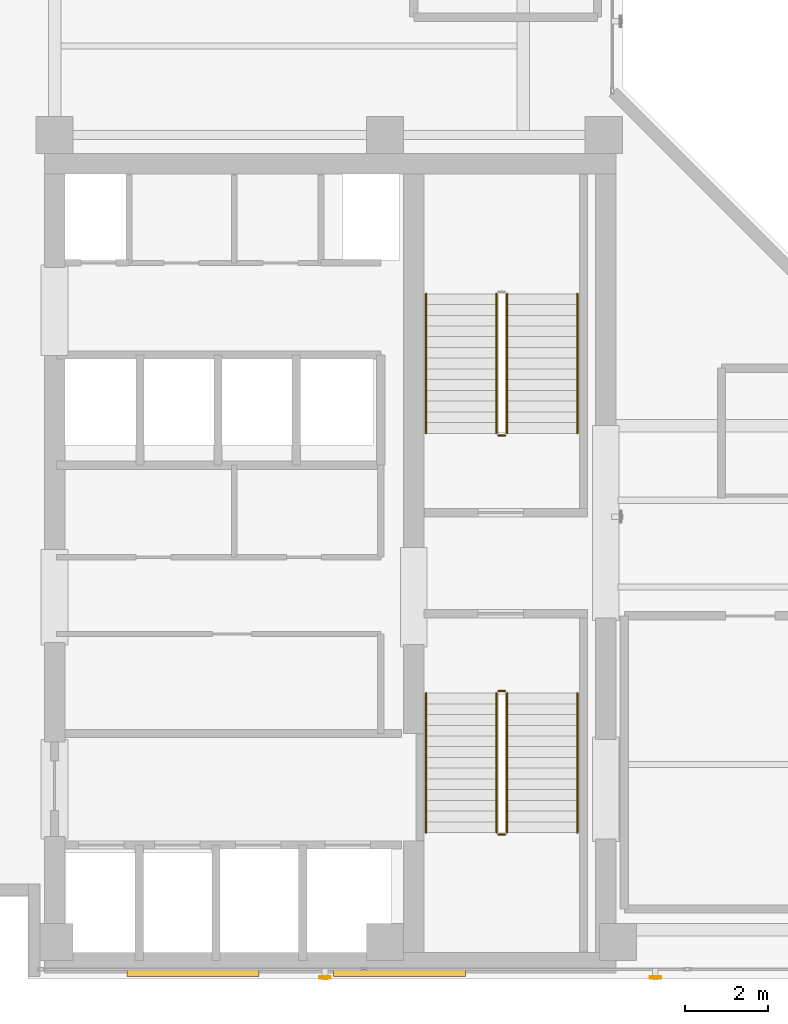
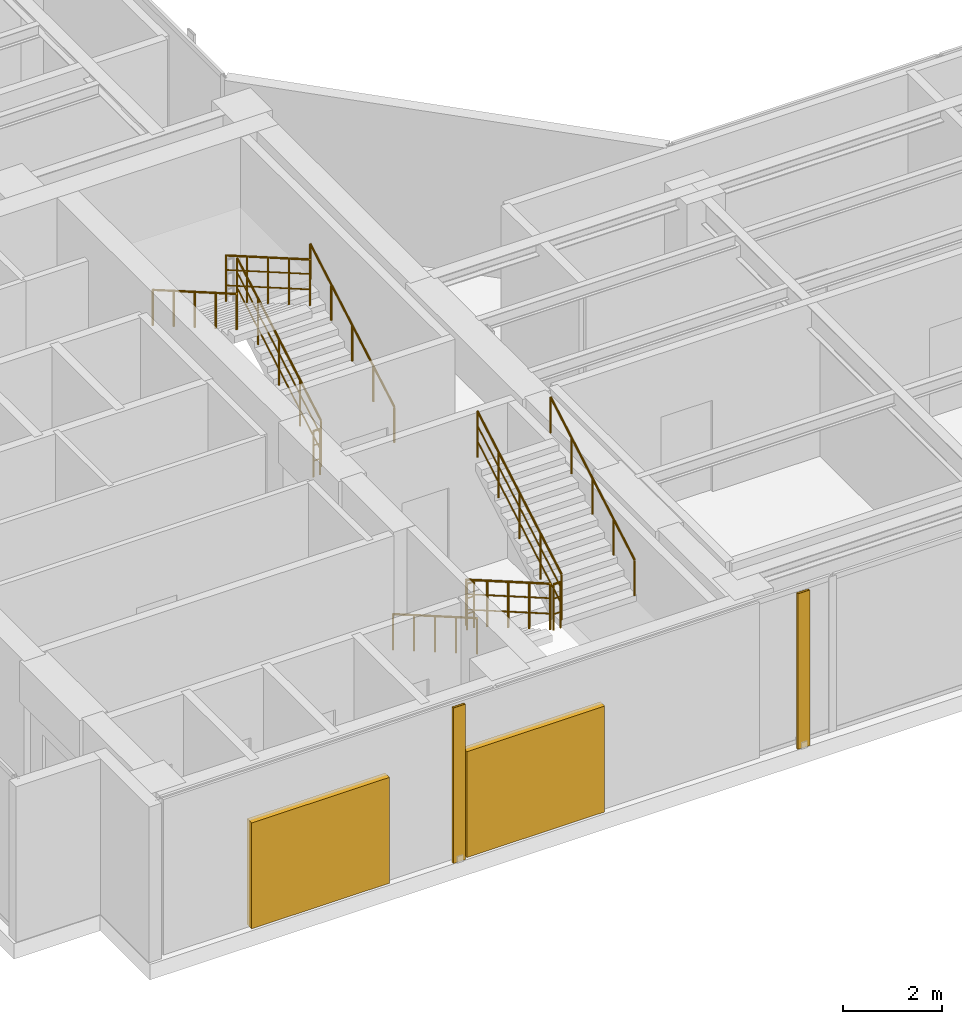
# One storey, part 22 of 24: 11 railings, 4 shading devices.
"""IFC4 building model written with IfcOpenShell, lengths in metres."""

from ifc_helpers import new_model, si_unit, direction, frame, origin, origin_with_axes, origin_2d, place, context, subcontext, project, spatial, rectangle, hollow_rectangle, circle, extrude, source, transform, mapped, material, material_profile, profile_set, type_object, element, save


model = new_model("IFC4")

# Units and contexts
model_context = context("Model", 3, precision=1e-05, world=origin(), true_north=direction((0.0, 1.0)))
body_context = subcontext(model_context, "Body", "Model", "MODEL_VIEW")
ifc_project = project(units=[si_unit("LENGTHUNIT", "METRE"), si_unit("AREAUNIT", "SQUARE_METRE"), si_unit("VOLUMEUNIT", "CUBIC_METRE"), si_unit("PLANEANGLEUNIT", "RADIAN"), si_unit("MASSUNIT", "GRAM", prefix="KILO")], contexts=[model_context])

# Site, building, storey
site_placement = place(None, origin())
site = spatial("IfcSite", under=ifc_project, at=site_placement, CompositionType="ELEMENT")
building_placement = place(site_placement, origin())
building = spatial("IfcBuilding", under=site, at=building_placement, Name="Kolvaren Waterfront Exchange", CompositionType="ELEMENT")
storey_placement = place(building_placement, frame((0.0, 0.0, 356.199951171875)))
storey = spatial("IfcBuildingStorey", under=building, at=storey_placement, Name="L91", CompositionType="ELEMENT", Elevation=356.199951171875)

# Shading devices
ifc_material_1 = material(Name="Anodised bronze aluminium 6063-T6", Category="aluminium")
ifc_material_profile = material_profile(ifc_material_1, hollow_rectangle(XDim=0.054931640625, YDim=0.280029296875, WallThickness=0.00439453125, at=origin_2d()), Name="BRZ-FIN-280x55x4.5")
ifc_profile_set = profile_set([ifc_material_profile], Name="Anodised bronze aluminium 6063-T6")
shading_device_type_1 = type_object("IfcShadingDeviceType", Name="ARC-FIN-280", PredefinedType="USERDEFINED", material=ifc_profile_set)
for number, where, z_axis, x_axis, name in (
    (1, (14.0, 4.0400390625, 0.0), (0.0, 0.0, 1.0), (0.0, -1.0, 0.0), "L91 anodised bronze solar shading fin FIN-L91-S1"),
    (2, (22.0, 4.0400390625, 0.0), (0.0, 0.0, 1.0), (0.0, -1.0, 0.0), "L91 anodised bronze solar shading fin FIN-L91-S2"),
):
    element("IfcShadingDevice", number, at=place(storey_placement, frame(where, z_axis=z_axis, x_axis=x_axis)), inside=storey, type_object=shading_device_type_1, Name=name, ObjectType="SOLAR FIN", PredefinedType="USERDEFINED", context=body_context, shape_type="SweptSolid", body=[
        extrude(hollow_rectangle(XDim=0.054931640625, YDim=0.280029296875, WallThickness=0.00439453125, at=origin_2d()), origin(), (0.0, 0.0, 1.0), 3.820068359375),
    ])

# Railings
ifc_material_2 = material(Name="Stainless steel 316", Category="steel")
railing_type_1 = type_object("IfcRailingType", Name="ARC-GUARD-STAIR", PredefinedType="GUARDRAIL", material=ifc_material_2)
railing_1_placement = place(storey_placement, frame((18.14990234375, 10.929931640625, 0.150146484375)))
element("IfcRailing", 3, at=railing_1_placement, inside=storey, type_object=railing_type_1, Name="L91 ST1 stair guard 1", PredefinedType="GUARDRAIL", context=body_context, shape_type="SweptSolid", body=[
    extrude(circle(Radius=0.02392578125, at=origin_2d()), frame((0.0, 0.0, 1.1259765625), z_axis=(0.0, -0.866183502775, 0.49972606448), x_axis=(1.0, 0.0, 0.0)), (0.0, 0.0, 1.0), 3.902099609375),
    extrude(circle(Radius=0.01611328125, at=origin_2d()), frame((0.0, 0.0, 0.390869140625), z_axis=(0.0, -0.866183502775, 0.49972606448), x_axis=(1.0, 0.0, 0.0)), (0.0, 0.0, 1.0), 3.902099609375),
    extrude(circle(Radius=0.01611328125, at=origin_2d()), frame((0.0, 0.0, 0.7705078125), z_axis=(0.0, -0.866183502775, 0.49972606448), x_axis=(1.0, 0.0, 0.0)), (0.0, 0.0, 1.0), 3.902099609375),
    extrude(circle(Radius=0.02099609375, at=origin_2d()), origin(), (0.0, 0.0, 1.0), 1.101806640625),
    extrude(circle(Radius=0.02099609375, at=origin_2d()), frame((0.0, -0.844970703125, 0.487548828125)), (0.0, 0.0, 1.0), 1.101806640625),
    extrude(circle(Radius=0.02099609375, at=origin_2d()), frame((0.0, -1.68994140625, 0.97509765625)), (0.0, 0.0, 1.0), 1.101806640625),
    extrude(circle(Radius=0.02099609375, at=origin_2d()), frame((0.0, -2.534912109375, 1.46240234375)), (0.0, 0.0, 1.0), 1.101806640625),
    extrude(circle(Radius=0.02099609375, at=origin_2d()), frame((0.0, -3.3798828125, 1.949951171875)), (0.0, 0.0, 1.0), 1.101806640625),
])
railing_2_placement = place(storey_placement, frame((18.199951171875, 7.5, 2.10009765625)))
element("IfcRailing", 4, at=railing_2_placement, inside=storey, type_object=railing_type_1, Name="L91 ST1 stair guard 2", PredefinedType="GUARDRAIL", context=body_context, shape_type="SweptSolid", body=[
    extrude(circle(Radius=0.02392578125, at=origin_2d()), frame((0.0, 0.0, 1.1259765625), z_axis=(1.0, 0.0, 0.0), x_axis=(0.0, 1.0, 0.0)), (0.0, 0.0, 1.0), 0.16015625),
    extrude(circle(Radius=0.01611328125, at=origin_2d()), frame((0.0, 0.0, 0.390869140625), z_axis=(1.0, 0.0, 0.0), x_axis=(0.0, 1.0, 0.0)), (0.0, 0.0, 1.0), 0.16015625),
    extrude(circle(Radius=0.01611328125, at=origin_2d()), frame((0.0, 0.0, 0.7705078125), z_axis=(1.0, 0.0, 0.0), x_axis=(0.0, 1.0, 0.0)), (0.0, 0.0, 1.0), 0.16015625),
    extrude(circle(Radius=0.02099609375, at=origin_2d()), origin(), (0.0, 0.0, 1.0), 1.101806640625),
    extrude(circle(Radius=0.02099609375, at=origin_2d()), frame((0.16015625, 0.0, 0.0)), (0.0, 0.0, 1.0), 1.101806640625),
])
railing_3_placement = place(storey_placement, frame((18.409912109375, 7.550048828125, 2.25)))
element("IfcRailing", 5, at=railing_3_placement, inside=storey, type_object=railing_type_1, Name="L91 ST1 stair guard 3", PredefinedType="GUARDRAIL", context=body_context, shape_type="SweptSolid", body=[
    extrude(circle(Radius=0.02392578125, at=origin_2d()), frame((0.0, 0.0, 1.1259765625), z_axis=(0.0, 0.866183502775, 0.49972606448), x_axis=(-1.0, 0.0, 0.0)), (0.0, 0.0, 1.0), 3.902099609375),
    extrude(circle(Radius=0.01611328125, at=origin_2d()), frame((0.0, 0.0, 0.390869140625), z_axis=(0.0, 0.866183502775, 0.49972606448), x_axis=(-1.0, 0.0, 0.0)), (0.0, 0.0, 1.0), 3.902099609375),
    extrude(circle(Radius=0.01611328125, at=origin_2d()), frame((0.0, 0.0, 0.7705078125), z_axis=(0.0, 0.866183502775, 0.49972606448), x_axis=(-1.0, 0.0, 0.0)), (0.0, 0.0, 1.0), 3.902099609375),
    extrude(circle(Radius=0.02099609375, at=origin_2d()), origin(), (0.0, 0.0, 1.0), 1.101806640625),
    extrude(circle(Radius=0.02099609375, at=origin_2d()), frame((0.0, 0.844970703125, 0.487548828125)), (0.0, 0.0, 1.0), 1.101806640625),
    extrude(circle(Radius=0.02099609375, at=origin_2d()), frame((0.0, 1.68994140625, 0.97509765625)), (0.0, 0.0, 1.0), 1.101806640625),
    extrude(circle(Radius=0.02099609375, at=origin_2d()), frame((0.0, 2.534912109375, 1.46240234375)), (0.0, 0.0, 1.0), 1.101806640625),
    extrude(circle(Radius=0.02099609375, at=origin_2d()), frame((0.0, 3.3798828125, 1.949951171875)), (0.0, 0.0, 1.0), 1.101806640625),
])
railing_4_placement = place(storey_placement, frame((18.199951171875, 10.97998046875, 0.0)))
element("IfcRailing", 6, at=railing_4_placement, inside=storey, type_object=railing_type_1, Name="L91 ST1 stair guard 4", PredefinedType="GUARDRAIL", context=body_context, shape_type="SweptSolid", body=[
    extrude(circle(Radius=0.02392578125, at=origin_2d()), frame((0.0, 0.0, 1.1259765625), z_axis=(1.0, 0.0, 0.0), x_axis=(0.0, 1.0, 0.0)), (0.0, 0.0, 1.0), 0.16015625),
    extrude(circle(Radius=0.01611328125, at=origin_2d()), frame((0.0, 0.0, 0.390869140625), z_axis=(1.0, 0.0, 0.0), x_axis=(0.0, 1.0, 0.0)), (0.0, 0.0, 1.0), 0.16015625),
    extrude(circle(Radius=0.01611328125, at=origin_2d()), frame((0.0, 0.0, 0.7705078125), z_axis=(1.0, 0.0, 0.0), x_axis=(0.0, 1.0, 0.0)), (0.0, 0.0, 1.0), 0.16015625),
    extrude(circle(Radius=0.02099609375, at=origin_2d()), origin(), (0.0, 0.0, 1.0), 1.101806640625),
    extrude(circle(Radius=0.02099609375, at=origin_2d()), frame((0.16015625, 0.0, 0.0)), (0.0, 0.0, 1.0), 1.101806640625),
])
railing_5_placement = place(storey_placement, frame((18.409912109375, 17.219970703125, 0.150146484375)))
element("IfcRailing", 7, at=railing_5_placement, inside=storey, type_object=railing_type_1, Name="L91 ST2 stair guard 1", PredefinedType="GUARDRAIL", context=body_context, shape_type="SweptSolid", body=[
    extrude(circle(Radius=0.02392578125, at=origin_2d()), frame((0.0, 0.0, 1.1259765625), z_axis=(0.0, 0.866199126228, 0.499698983112), x_axis=(-1.0, 0.0, 0.0)), (0.0, 0.0, 1.0), 3.90234375),
    extrude(circle(Radius=0.01611328125, at=origin_2d()), frame((0.0, 0.0, 0.390869140625), z_axis=(0.0, 0.866199126228, 0.499698983112), x_axis=(-1.0, 0.0, 0.0)), (0.0, 0.0, 1.0), 3.90234375),
    extrude(circle(Radius=0.01611328125, at=origin_2d()), frame((0.0, 0.0, 0.7705078125), z_axis=(0.0, 0.866199126228, 0.499698983112), x_axis=(-1.0, 0.0, 0.0)), (0.0, 0.0, 1.0), 3.90234375),
    extrude(circle(Radius=0.02099609375, at=origin_2d()), origin(), (0.0, 0.0, 1.0), 1.101806640625),
    extrude(circle(Radius=0.02099609375, at=origin_2d()), frame((0.0, 0.844970703125, 0.487548828125)), (0.0, 0.0, 1.0), 1.101806640625),
    extrude(circle(Radius=0.02099609375, at=origin_2d()), frame((0.0, 1.68994140625, 0.97509765625)), (0.0, 0.0, 1.0), 1.101806640625),
    extrude(circle(Radius=0.02099609375, at=origin_2d()), frame((0.0, 2.53515625, 1.46240234375)), (0.0, 0.0, 1.0), 1.101806640625),
    extrude(circle(Radius=0.02099609375, at=origin_2d()), frame((0.0, 3.380126953125, 1.949951171875)), (0.0, 0.0, 1.0), 1.101806640625),
])
railing_6_placement = place(storey_placement, frame((18.14990234375, 20.60009765625, 2.25)))
element("IfcRailing", 8, at=railing_6_placement, inside=storey, type_object=railing_type_1, Name="L91 ST2 stair guard 3", PredefinedType="GUARDRAIL", context=body_context, shape_type="SweptSolid", body=[
    extrude(circle(Radius=0.02392578125, at=origin_2d()), frame((0.0, 0.0, 1.1259765625), z_axis=(0.0, -0.866199126228, 0.499698983112), x_axis=(1.0, 0.0, 0.0)), (0.0, 0.0, 1.0), 3.90234375),
    extrude(circle(Radius=0.01611328125, at=origin_2d()), frame((0.0, 0.0, 0.390869140625), z_axis=(0.0, -0.866199126228, 0.499698983112), x_axis=(1.0, 0.0, 0.0)), (0.0, 0.0, 1.0), 3.90234375),
    extrude(circle(Radius=0.01611328125, at=origin_2d()), frame((0.0, 0.0, 0.7705078125), z_axis=(0.0, -0.866199126228, 0.499698983112), x_axis=(1.0, 0.0, 0.0)), (0.0, 0.0, 1.0), 3.90234375),
    extrude(circle(Radius=0.02099609375, at=origin_2d()), origin(), (0.0, 0.0, 1.0), 1.101806640625),
    extrude(circle(Radius=0.02099609375, at=origin_2d()), frame((0.0, -0.844970703125, 0.487548828125)), (0.0, 0.0, 1.0), 1.101806640625),
    extrude(circle(Radius=0.02099609375, at=origin_2d()), frame((0.0, -1.68994140625, 0.97509765625)), (0.0, 0.0, 1.0), 1.101806640625),
    extrude(circle(Radius=0.02099609375, at=origin_2d()), frame((0.0, -2.53515625, 1.46240234375)), (0.0, 0.0, 1.0), 1.101806640625),
    extrude(circle(Radius=0.02099609375, at=origin_2d()), frame((0.0, -3.380126953125, 1.949951171875)), (0.0, 0.0, 1.0), 1.101806640625),
])
railing_7_placement = place(storey_placement, frame((18.360107421875, 17.169921875, 0.0)))
element("IfcRailing", 9, at=railing_7_placement, inside=storey, type_object=railing_type_1, Name="L91 ST2 stair guard 4", PredefinedType="GUARDRAIL", context=body_context, shape_type="SweptSolid", body=[
    extrude(circle(Radius=0.02392578125, at=origin_2d()), frame((0.0, 0.0, 1.1259765625), z_axis=(-1.0, 0.0, 0.0), x_axis=(0.0, -1.0, 0.0)), (0.0, 0.0, 1.0), 0.16015625),
    extrude(circle(Radius=0.01611328125, at=origin_2d()), frame((0.0, 0.0, 0.390869140625), z_axis=(-1.0, 0.0, 0.0), x_axis=(0.0, -1.0, 0.0)), (0.0, 0.0, 1.0), 0.16015625),
    extrude(circle(Radius=0.01611328125, at=origin_2d()), frame((0.0, 0.0, 0.7705078125), z_axis=(-1.0, 0.0, 0.0), x_axis=(0.0, -1.0, 0.0)), (0.0, 0.0, 1.0), 0.16015625),
    extrude(circle(Radius=0.02099609375, at=origin_2d()), origin(), (0.0, 0.0, 1.0), 1.101806640625),
    extrude(circle(Radius=0.02099609375, at=origin_2d()), frame((-0.16015625, 0.0, 0.0)), (0.0, 0.0, 1.0), 1.101806640625),
])
railing_type_2 = type_object("IfcRailingType", Name="ARC-HANDRAIL-900", PredefinedType="HANDRAIL", material=ifc_material_2)
railing_8_placement = place(storey_placement, frame((16.449951171875, 10.929931640625, 0.150146484375)))
element("IfcRailing", 10, at=railing_8_placement, inside=storey, type_object=railing_type_2, Name="L91 ST1 stair handrail 1", PredefinedType="HANDRAIL", context=body_context, shape_type="SweptSolid", body=[
    extrude(circle(Radius=0.02392578125, at=origin_2d()), frame((0.0, 0.0, 0.8759765625), z_axis=(0.0, -0.866183502775, 0.49972606448), x_axis=(1.0, 0.0, 0.0)), (0.0, 0.0, 1.0), 3.902099609375),
    extrude(circle(Radius=0.02099609375, at=origin_2d()), origin(), (0.0, 0.0, 1.0), 0.851806640625),
    extrude(circle(Radius=0.02099609375, at=origin_2d()), frame((0.0, -0.844970703125, 0.487548828125)), (0.0, 0.0, 1.0), 0.851806640625),
    extrude(circle(Radius=0.02099609375, at=origin_2d()), frame((0.0, -1.68994140625, 0.97509765625)), (0.0, 0.0, 1.0), 0.851806640625),
    extrude(circle(Radius=0.02099609375, at=origin_2d()), frame((0.0, -2.534912109375, 1.46240234375)), (0.0, 0.0, 1.0), 0.851806640625),
    extrude(circle(Radius=0.02099609375, at=origin_2d()), frame((0.0, -3.3798828125, 1.949951171875)), (0.0, 0.0, 1.0), 0.851806640625),
])
railing_9_placement = place(storey_placement, frame((20.110107421875, 7.550048828125, 2.25)))
element("IfcRailing", 11, at=railing_9_placement, inside=storey, type_object=railing_type_2, Name="L91 ST1 stair handrail 2", PredefinedType="HANDRAIL", context=body_context, shape_type="SweptSolid", body=[
    extrude(circle(Radius=0.02392578125, at=origin_2d()), frame((0.0, 0.0, 0.8759765625), z_axis=(0.0, 0.866183502775, 0.49972606448), x_axis=(-1.0, 0.0, 0.0)), (0.0, 0.0, 1.0), 3.902099609375),
    extrude(circle(Radius=0.02099609375, at=origin_2d()), origin(), (0.0, 0.0, 1.0), 0.851806640625),
    extrude(circle(Radius=0.02099609375, at=origin_2d()), frame((0.0, 0.844970703125, 0.487548828125)), (0.0, 0.0, 1.0), 0.851806640625),
    extrude(circle(Radius=0.02099609375, at=origin_2d()), frame((0.0, 1.68994140625, 0.97509765625)), (0.0, 0.0, 1.0), 0.851806640625),
    extrude(circle(Radius=0.02099609375, at=origin_2d()), frame((0.0, 2.534912109375, 1.46240234375)), (0.0, 0.0, 1.0), 0.851806640625),
    extrude(circle(Radius=0.02099609375, at=origin_2d()), frame((0.0, 3.3798828125, 1.949951171875)), (0.0, 0.0, 1.0), 0.851806640625),
])
railing_10_placement = place(storey_placement, frame((20.110107421875, 17.219970703125, 0.150146484375)))
element("IfcRailing", 12, at=railing_10_placement, inside=storey, type_object=railing_type_2, Name="L91 ST2 stair handrail 1", PredefinedType="HANDRAIL", context=body_context, shape_type="SweptSolid", body=[
    extrude(circle(Radius=0.02392578125, at=origin_2d()), frame((0.0, 0.0, 0.8759765625), z_axis=(0.0, 0.866199126228, 0.499698983112), x_axis=(-1.0, 0.0, 0.0)), (0.0, 0.0, 1.0), 3.90234375),
    extrude(circle(Radius=0.02099609375, at=origin_2d()), origin(), (0.0, 0.0, 1.0), 0.851806640625),
    extrude(circle(Radius=0.02099609375, at=origin_2d()), frame((0.0, 0.844970703125, 0.487548828125)), (0.0, 0.0, 1.0), 0.851806640625),
    extrude(circle(Radius=0.02099609375, at=origin_2d()), frame((0.0, 1.68994140625, 0.97509765625)), (0.0, 0.0, 1.0), 0.851806640625),
    extrude(circle(Radius=0.02099609375, at=origin_2d()), frame((0.0, 2.53515625, 1.46240234375)), (0.0, 0.0, 1.0), 0.851806640625),
    extrude(circle(Radius=0.02099609375, at=origin_2d()), frame((0.0, 3.380126953125, 1.949951171875)), (0.0, 0.0, 1.0), 0.851806640625),
])
railing_11_placement = place(storey_placement, frame((16.449951171875, 20.60009765625, 2.25)))
element("IfcRailing", 13, at=railing_11_placement, inside=storey, type_object=railing_type_2, Name="L91 ST2 stair handrail 2", PredefinedType="HANDRAIL", context=body_context, shape_type="SweptSolid", body=[
    extrude(circle(Radius=0.02392578125, at=origin_2d()), frame((0.0, 0.0, 0.8759765625), z_axis=(0.0, -0.866199126228, 0.499698983112), x_axis=(1.0, 0.0, 0.0)), (0.0, 0.0, 1.0), 3.90234375),
    extrude(circle(Radius=0.02099609375, at=origin_2d()), origin(), (0.0, 0.0, 1.0), 0.851806640625),
    extrude(circle(Radius=0.02099609375, at=origin_2d()), frame((0.0, -0.844970703125, 0.487548828125)), (0.0, 0.0, 1.0), 0.851806640625),
    extrude(circle(Radius=0.02099609375, at=origin_2d()), frame((0.0, -1.68994140625, 0.97509765625)), (0.0, 0.0, 1.0), 0.851806640625),
    extrude(circle(Radius=0.02099609375, at=origin_2d()), frame((0.0, -2.53515625, 1.46240234375)), (0.0, 0.0, 1.0), 0.851806640625),
    extrude(circle(Radius=0.02099609375, at=origin_2d()), frame((0.0, -3.380126953125, 1.949951171875)), (0.0, 0.0, 1.0), 0.851806640625),
])

# Shading devices
shading_device_type_2 = type_object("IfcShadingDeviceType", Name="ARC-SHD-LOUVRE", PredefinedType="USERDEFINED", material=ifc_material_1)
shared_shape = source(origin_with_axes(), body_context, "Body", "SweptSolid", [
    extrude(rectangle(XDim=3.199951171875, YDim=0.179931640625, at=origin_2d()), origin(), (0.0, 0.0, 1.0), 2.60009765625),
])
for number, where, z_axis, x_axis, name in (
    (14, (10.800048828125, 4.14990234375, 0.0), (0.0, 0.0, 1.0), (1.0, 0.0, 0.0), "L91 acoustic weather intake louvre 1"),
    (15, (15.800048828125, 4.14990234375, 0.0), (0.0, 0.0, 1.0), (1.0, 0.0, 0.0), "L91 acoustic weather intake louvre 2"),
):
    element("IfcShadingDevice", number, at=place(storey_placement, frame(where, z_axis=z_axis, x_axis=x_axis)), inside=storey, type_object=shading_device_type_2, Name=name, ObjectType="LOUVRE", PredefinedType="USERDEFINED", context=body_context, shape_type="MappedRepresentation", body=[
        mapped(shared_shape, transform((0.0, 0.0, 0.0), x_axis=(1.0, 0.0, 0.0), y_axis=(0.0, 1.0, 0.0), z_axis=(0.0, 0.0, 1.0), scale=1.0)),
    ])

save(model, "model.ifc")
